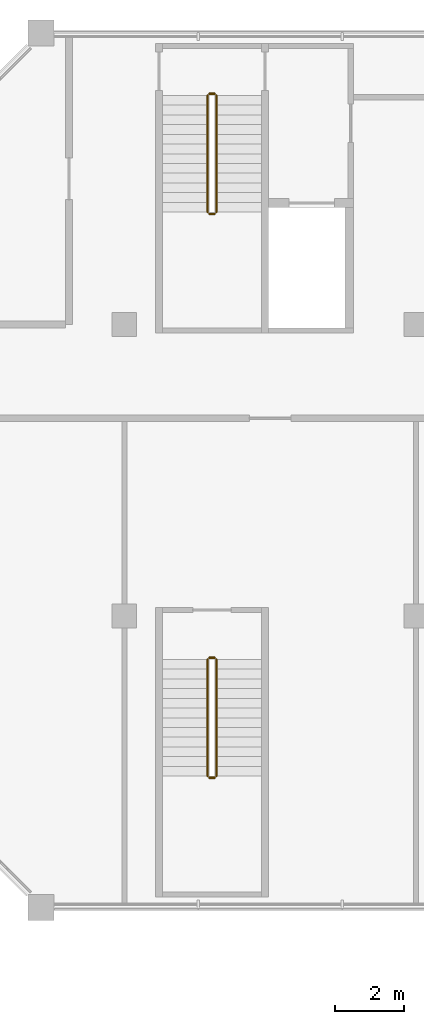
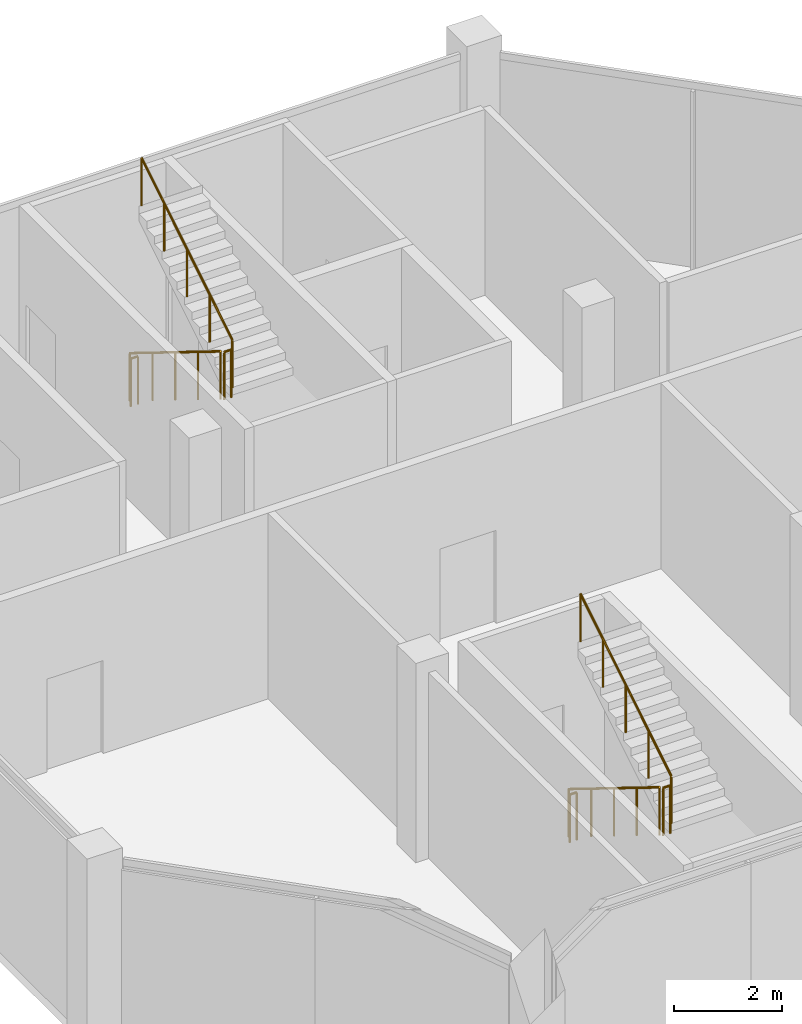
# One storey, part 9 of 9: 8 railings.
"""IFC4 building model written with IfcOpenShell, lengths in metres."""

import ifcopenshell
import ifcopenshell.guid

model = None  # the IFC model being written
_history = None  # IfcOwnerHistory: only IFC2X3 demands one
_inside = {}  # id of a spatial element -> (the spatial element, [elements in it])
_under = {}  # id of a project, library or spatial element -> (it, [spatial elements below it])
_declared = {}  # id of a project -> (the project, [libraries it declares])
_typed = {}  # id of a type object -> (the type object, [elements of that type])
_made_of = {}  # id of a material, layer set ... -> (it, [elements and type objects made of it])


def new_model(schema):
    """Start an empty IFC model of exactly this schema.

    Asked for "IFC4X3", IfcOpenShell would pick the latest addendum, in which some entities
    have other attributes; the version numbers below select the first issue.
    IFC2X3 requires an IfcOwnerHistory on every rooted entity: one is made here for all.
    """
    global model, _history
    if schema == "IFC4X3":
        model = ifcopenshell.file(schema_version=(4, 3, 0, 0))
    else:
        model = ifcopenshell.file(schema=schema)
    _inside.clear()
    _under.clear()
    _declared.clear()
    _typed.clear()
    _made_of.clear()
    _history = None
    if model.schema == "IFC2X3":
        org = make("IfcOrganization", Name="unknown")
        user = make(
            "IfcPersonAndOrganization",
            ThePerson=make("IfcPerson", FamilyName="unknown"),
            TheOrganization=org,
        )
        app = make(
            "IfcApplication",
            ApplicationDeveloper=org,
            Version="unknown",
            ApplicationFullName="unknown",
            ApplicationIdentifier="unknown",
        )
        _history = make(
            "IfcOwnerHistory",
            OwningUser=user,
            OwningApplication=app,
            ChangeAction="ADDED",
            CreationDate=0,
        )
    return model


def make(cls, **values):
    """One entity of the class cls with the attributes given. An attribute that is None is left unset."""
    return model.create_entity(
        cls, **{name: value for name, value in values.items() if value is not None}
    )


def rooted(cls, **values):
    """An entity with a GlobalId (a new one), such as an element, a storey or a relation."""
    return make(cls, GlobalId=ifcopenshell.guid.new(), OwnerHistory=_history, **values)


def si_unit(unit_type, name, prefix=None):
    """IfcSIUnit, for example si_unit("LENGTHUNIT", "METRE", prefix="MILLI")."""
    return make("IfcSIUnit", UnitType=unit_type, Prefix=prefix, Name=name)


def assignment(units):
    """IfcUnitAssignment: the units of a project."""
    return None if units is None else make("IfcUnitAssignment", Units=units)


def point(xyz):
    """IfcCartesianPoint."""
    return None if xyz is None else make("IfcCartesianPoint", Coordinates=xyz)


def direction(xyz):
    """IfcDirection."""
    return None if xyz is None else make("IfcDirection", DirectionRatios=xyz)


def frame(location, z_axis=None, x_axis=None):
    """IfcAxis2Placement3D, a coordinate frame: its origin and axes. An axis left out is left unset."""
    return make(
        "IfcAxis2Placement3D",
        Location=point(location),
        Axis=direction(z_axis),
        RefDirection=direction(x_axis),
    )


def frame_2d(location, x_axis=None):
    """IfcAxis2Placement2D, a coordinate frame in the plane: its origin and x axis."""
    return make(
        "IfcAxis2Placement2D", Location=point(location), RefDirection=direction(x_axis)
    )


def origin():
    """The frame at (0, 0, 0) with its axes left unset."""
    return frame((0.0, 0.0, 0.0))


def origin_2d():
    """The frame at (0, 0) in the plane with its x axis left unset."""
    return frame_2d((0.0, 0.0))


def place(relative_to, where):
    """IfcLocalPlacement: puts the frame where relative to a parent placement (None: the world)."""
    return make(
        "IfcLocalPlacement", PlacementRelTo=relative_to, RelativePlacement=where
    )


def context(
    kind, dimensions, precision=None, world=None, true_north=None, identifier=None
):
    """IfcGeometricRepresentationContext, for example the 3D "Model" context."""
    return make(
        "IfcGeometricRepresentationContext",
        ContextIdentifier=identifier,
        ContextType=kind,
        CoordinateSpaceDimension=dimensions,
        Precision=precision,
        WorldCoordinateSystem=world,
        TrueNorth=true_north,
    )


def subcontext(parent, identifier, kind, view, scale=None):
    """IfcGeometricRepresentationSubContext, for example "Body" below "Model"."""
    return make(
        "IfcGeometricRepresentationSubContext",
        ContextIdentifier=identifier,
        ContextType=kind,
        ParentContext=parent,
        TargetScale=scale,
        TargetView=view,
    )


def project(units=None, contexts=None):
    """IfcProject with its units and contexts."""
    return rooted(
        "IfcProject",
        Name="project",
        RepresentationContexts=contexts,
        UnitsInContext=assignment(units),
    )


def spatial(cls, under=None, at=None, **own):
    """A site, building, storey or space (cls), placed at a placement, below another one or the project."""
    s = rooted(cls, ObjectPlacement=at, **own)
    if under is not None:
        _under.setdefault(under.id(), (under, []))[1].append(s)
    return s


def profile(cls, at=None, kind="AREA", **sizes):
    """A parametric profile (cls). Its sizes go by their IFC names, for example OverallWidth=200.0."""
    return make(cls, ProfileType=kind, Position=at, **sizes)


def circle(**sizes):
    """IfcCircleProfileDef."""
    return profile("IfcCircleProfileDef", **sizes)


def extrude(swept, where, along, depth):
    """IfcExtrudedAreaSolid: the profile swept, set in the frame where, extruded along a direction by depth."""
    return make(
        "IfcExtrudedAreaSolid",
        SweptArea=swept,
        Position=where,
        ExtrudedDirection=direction(along),
        Depth=depth,
    )


def shape(context_of_items, identifier, shape_type, items):
    """IfcShapeRepresentation: the items that make up one representation, for example the "Body"."""
    return make(
        "IfcShapeRepresentation",
        ContextOfItems=context_of_items,
        RepresentationIdentifier=identifier,
        RepresentationType=shape_type,
        Items=items,
    )


def material(Name=None, Category=None):
    """IfcMaterial."""
    return make("IfcMaterial", Name=Name, Category=Category)


def made_of(thing, what):
    """Note that an element or type object is made of a material, layer set ...; save() writes the relation."""
    if what is not None:
        _made_of.setdefault(what.id(), (what, []))[1].append(thing)
    return thing


def type_object(cls, material=None, **own):
    """A type object (cls), such as IfcWallType, which elements share."""
    return made_of(rooted(cls, **own), material)


def element(
    cls,
    number,
    at=None,
    inside=None,
    cuts=None,
    type_object=None,
    material=None,
    context=None,
    identifier="Body",
    shape_type=None,
    held_by="IfcProductDefinitionShape",
    body=None,
    shapes=None,
    **own,
):
    """One element of the class cls, such as IfcWall. Its Tag is "e" and its number.

    at: its placement. inside: the storey or other place that contains it. cuts: it is an
    opening in that element (IfcRelVoidsElement). A single representation is given by context,
    identifier, shape_type and body (its items); several are given by shapes. held_by: the class
    of the entity that holds the representations. save() writes the other relations.
    """
    e = rooted(cls, Tag="e%d" % number, ObjectPlacement=at, **own)
    if body is not None:
        shapes = [shape(context, identifier, shape_type, body)]
    if shapes is not None:
        e.Representation = make(held_by, Representations=shapes)
    if inside is not None:
        _inside.setdefault(inside.id(), (inside, []))[1].append(e)
    if cuts is not None:
        rooted(
            "IfcRelVoidsElement", RelatingBuildingElement=cuts, RelatedOpeningElement=e
        )
    if type_object is not None:
        _typed.setdefault(type_object.id(), (type_object, []))[1].append(e)
    return made_of(e, material)


def aggregate(whole, parts):
    """IfcRelAggregates: a whole, such as a stair, and the parts it consists of."""
    return rooted("IfcRelAggregates", RelatingObject=whole, RelatedObjects=parts)


def save(model, path):
    """Write the relations noted so far, then the file.

    IfcRelAggregates (storeys below a building ...), IfcRelContainedInSpatialStructure (elements
    in a storey), IfcRelDefinesByType, IfcRelAssociatesMaterial and IfcRelDeclares: one each for
    every whole, place, type object, material and project.
    """
    for whole, parts in _under.values():
        aggregate(whole, parts)
    for where, things in _inside.values():
        rooted(
            "IfcRelContainedInSpatialStructure",
            RelatedElements=things,
            RelatingStructure=where,
        )
    for kind, things in _typed.values():
        rooted("IfcRelDefinesByType", RelatedObjects=things, RelatingType=kind)
    for what, things in _made_of.values():
        rooted("IfcRelAssociatesMaterial", RelatedObjects=things, RelatingMaterial=what)
    for by, libraries in _declared.values():
        rooted("IfcRelDeclares", RelatingContext=by, RelatedDefinitions=libraries)
    model.write(path)


model = new_model("IFC4")

# Units and contexts
model_context = context("Model", 3, precision=1e-05, world=origin(), true_north=direction((0.0, 1.0)))
body_context = subcontext(model_context, "Body", "Model", "MODEL_VIEW")
ifc_project = project(units=[si_unit("LENGTHUNIT", "METRE"), si_unit("AREAUNIT", "SQUARE_METRE"), si_unit("VOLUMEUNIT", "CUBIC_METRE"), si_unit("PLANEANGLEUNIT", "RADIAN"), si_unit("MASSUNIT", "GRAM", prefix="KILO")], contexts=[model_context])

# Site, building, storey
site_placement = place(None, origin())
site = spatial("IfcSite", under=ifc_project, at=site_placement, CompositionType="ELEMENT")
building_placement = place(site_placement, origin())
building = spatial("IfcBuilding", under=site, at=building_placement, Name="Kawkab Arch Medical Tower", CompositionType="ELEMENT")
storey_placement = place(building_placement, frame((0.0, 0.0, 345.699951171875)))
storey = spatial("IfcBuildingStorey", under=building, at=storey_placement, Name="L80", CompositionType="ELEMENT", Elevation=345.699951171875)

# Railings
ifc_material = material(Name="Stainless steel", Category="steel")
railing_type = type_object("IfcRailingType", Name="Stair guard 1100", PredefinedType="GUARDRAIL", material=ifc_material)
railing_1_placement = place(storey_placement, frame((44.39990234375, -1.800048828125, 0.173095703125)))
element("IfcRailing", 1, at=railing_1_placement, inside=storey, type_object=railing_type, Name="L80 ST5 stair guard 1", PredefinedType="GUARDRAIL", context=body_context, shape_type="SweptSolid", body=[
    extrude(circle(Radius=0.02392578125, at=origin_2d()), frame((0.0, 0.0, 1.076171875), z_axis=(0.0, -0.850606129759, 0.525803396734), x_axis=(1.0, 0.0, 0.0)), (0.0, 0.0, 1.0), 3.949951171875),
    extrude(circle(Radius=0.02099609375, at=origin_2d()), origin(), (0.0, 0.0, 1.0), 1.052001953125),
    extrude(circle(Radius=0.02099609375, at=origin_2d()), frame((0.0, -0.83984375, 0.519287109375)), (0.0, 0.0, 1.0), 1.052001953125),
    extrude(circle(Radius=0.02099609375, at=origin_2d()), frame((0.0, -1.679931640625, 1.03857421875)), (0.0, 0.0, 1.0), 1.052001953125),
    extrude(circle(Radius=0.02099609375, at=origin_2d()), frame((0.0, -2.52001953125, 1.5576171875)), (0.0, 0.0, 1.0), 1.052001953125),
    extrude(circle(Radius=0.02099609375, at=origin_2d()), frame((0.0, -3.35986328125, 2.076904296875)), (0.0, 0.0, 1.0), 1.052001953125),
])
railing_2_placement = place(storey_placement, frame((44.449951171875, -5.2099609375, 2.25)))
element("IfcRailing", 2, at=railing_2_placement, inside=storey, type_object=railing_type, Name="L80 ST5 stair guard 2", PredefinedType="GUARDRAIL", context=body_context, shape_type="SweptSolid", body=[
    extrude(circle(Radius=0.02392578125, at=origin_2d()), frame((0.0, 0.0, 1.076171875), z_axis=(1.0, 0.0, 0.0), x_axis=(0.0, 1.0, 0.0)), (0.0, 0.0, 1.0), 0.150146484375),
    extrude(circle(Radius=0.02099609375, at=origin_2d()), origin(), (0.0, 0.0, 1.0), 1.052001953125),
    extrude(circle(Radius=0.02099609375, at=origin_2d()), frame((0.150146484375, 0.0, 0.0)), (0.0, 0.0, 1.0), 1.052001953125),
])
railing_3_placement = place(storey_placement, frame((44.64990234375, -5.159912109375, 2.423095703125)))
element("IfcRailing", 3, at=railing_3_placement, inside=storey, type_object=railing_type, Name="L80 ST5 stair guard 3", PredefinedType="GUARDRAIL", context=body_context, shape_type="SweptSolid", body=[
    extrude(circle(Radius=0.02392578125, at=origin_2d()), frame((0.0, 0.0, 1.076171875), z_axis=(0.0, 0.850606129759, 0.525803396734), x_axis=(-1.0, 0.0, 0.0)), (0.0, 0.0, 1.0), 3.949951171875),
    extrude(circle(Radius=0.02099609375, at=origin_2d()), origin(), (0.0, 0.0, 1.0), 1.052001953125),
    extrude(circle(Radius=0.02099609375, at=origin_2d()), frame((0.0, 0.83984375, 0.519287109375)), (0.0, 0.0, 1.0), 1.052001953125),
    extrude(circle(Radius=0.02099609375, at=origin_2d()), frame((0.0, 1.679931640625, 1.03857421875)), (0.0, 0.0, 1.0), 1.052001953125),
    extrude(circle(Radius=0.02099609375, at=origin_2d()), frame((0.0, 2.52001953125, 1.5576171875)), (0.0, 0.0, 1.0), 1.052001953125),
    extrude(circle(Radius=0.02099609375, at=origin_2d()), frame((0.0, 3.35986328125, 2.076904296875)), (0.0, 0.0, 1.0), 1.052001953125),
])
railing_4_placement = place(storey_placement, frame((44.449951171875, -1.75, 0.0)))
element("IfcRailing", 4, at=railing_4_placement, inside=storey, type_object=railing_type, Name="L80 ST5 stair guard 4", PredefinedType="GUARDRAIL", context=body_context, shape_type="SweptSolid", body=[
    extrude(circle(Radius=0.02392578125, at=origin_2d()), frame((0.0, 0.0, 1.076171875), z_axis=(1.0, 0.0, 0.0), x_axis=(0.0, 1.0, 0.0)), (0.0, 0.0, 1.0), 0.150146484375),
    extrude(circle(Radius=0.02099609375, at=origin_2d()), origin(), (0.0, 0.0, 1.0), 1.052001953125),
    extrude(circle(Radius=0.02099609375, at=origin_2d()), frame((0.150146484375, 0.0, 0.0)), (0.0, 0.0, 1.0), 1.052001953125),
])
railing_5_placement = place(storey_placement, frame((44.39990234375, -18.050048828125, 0.173095703125)))
element("IfcRailing", 5, at=railing_5_placement, inside=storey, type_object=railing_type, Name="L80 ST8 stair guard 1", PredefinedType="GUARDRAIL", context=body_context, shape_type="SweptSolid", body=[
    extrude(circle(Radius=0.02392578125, at=origin_2d()), frame((0.0, 0.0, 1.076171875), z_axis=(0.0, -0.850606129759, 0.525803396734), x_axis=(1.0, 0.0, 0.0)), (0.0, 0.0, 1.0), 3.949951171875),
    extrude(circle(Radius=0.02099609375, at=origin_2d()), origin(), (0.0, 0.0, 1.0), 1.052001953125),
    extrude(circle(Radius=0.02099609375, at=origin_2d()), frame((0.0, -0.83984375, 0.519287109375)), (0.0, 0.0, 1.0), 1.052001953125),
    extrude(circle(Radius=0.02099609375, at=origin_2d()), frame((0.0, -1.679931640625, 1.03857421875)), (0.0, 0.0, 1.0), 1.052001953125),
    extrude(circle(Radius=0.02099609375, at=origin_2d()), frame((0.0, -2.52001953125, 1.5576171875)), (0.0, 0.0, 1.0), 1.052001953125),
    extrude(circle(Radius=0.02099609375, at=origin_2d()), frame((0.0, -3.35986328125, 2.076904296875)), (0.0, 0.0, 1.0), 1.052001953125),
])
railing_6_placement = place(storey_placement, frame((44.449951171875, -21.4599609375, 2.25)))
element("IfcRailing", 6, at=railing_6_placement, inside=storey, type_object=railing_type, Name="L80 ST8 stair guard 2", PredefinedType="GUARDRAIL", context=body_context, shape_type="SweptSolid", body=[
    extrude(circle(Radius=0.02392578125, at=origin_2d()), frame((0.0, 0.0, 1.076171875), z_axis=(1.0, 0.0, 0.0), x_axis=(0.0, 1.0, 0.0)), (0.0, 0.0, 1.0), 0.150146484375),
    extrude(circle(Radius=0.02099609375, at=origin_2d()), origin(), (0.0, 0.0, 1.0), 1.052001953125),
    extrude(circle(Radius=0.02099609375, at=origin_2d()), frame((0.150146484375, 0.0, 0.0)), (0.0, 0.0, 1.0), 1.052001953125),
])
railing_7_placement = place(storey_placement, frame((44.64990234375, -21.409912109375, 2.423095703125)))
element("IfcRailing", 7, at=railing_7_placement, inside=storey, type_object=railing_type, Name="L80 ST8 stair guard 3", PredefinedType="GUARDRAIL", context=body_context, shape_type="SweptSolid", body=[
    extrude(circle(Radius=0.02392578125, at=origin_2d()), frame((0.0, 0.0, 1.076171875), z_axis=(0.0, 0.850606129759, 0.525803396734), x_axis=(-1.0, 0.0, 0.0)), (0.0, 0.0, 1.0), 3.949951171875),
    extrude(circle(Radius=0.02099609375, at=origin_2d()), origin(), (0.0, 0.0, 1.0), 1.052001953125),
    extrude(circle(Radius=0.02099609375, at=origin_2d()), frame((0.0, 0.83984375, 0.519287109375)), (0.0, 0.0, 1.0), 1.052001953125),
    extrude(circle(Radius=0.02099609375, at=origin_2d()), frame((0.0, 1.679931640625, 1.03857421875)), (0.0, 0.0, 1.0), 1.052001953125),
    extrude(circle(Radius=0.02099609375, at=origin_2d()), frame((0.0, 2.52001953125, 1.5576171875)), (0.0, 0.0, 1.0), 1.052001953125),
    extrude(circle(Radius=0.02099609375, at=origin_2d()), frame((0.0, 3.35986328125, 2.076904296875)), (0.0, 0.0, 1.0), 1.052001953125),
])
railing_8_placement = place(storey_placement, frame((44.449951171875, -18.0, 0.0)))
element("IfcRailing", 8, at=railing_8_placement, inside=storey, type_object=railing_type, Name="L80 ST8 stair guard 4", PredefinedType="GUARDRAIL", context=body_context, shape_type="SweptSolid", body=[
    extrude(circle(Radius=0.02392578125, at=origin_2d()), frame((0.0, 0.0, 1.076171875), z_axis=(1.0, 0.0, 0.0), x_axis=(0.0, 1.0, 0.0)), (0.0, 0.0, 1.0), 0.150146484375),
    extrude(circle(Radius=0.02099609375, at=origin_2d()), origin(), (0.0, 0.0, 1.0), 1.052001953125),
    extrude(circle(Radius=0.02099609375, at=origin_2d()), frame((0.150146484375, 0.0, 0.0)), (0.0, 0.0, 1.0), 1.052001953125),
])

save(model, "model.ifc")
